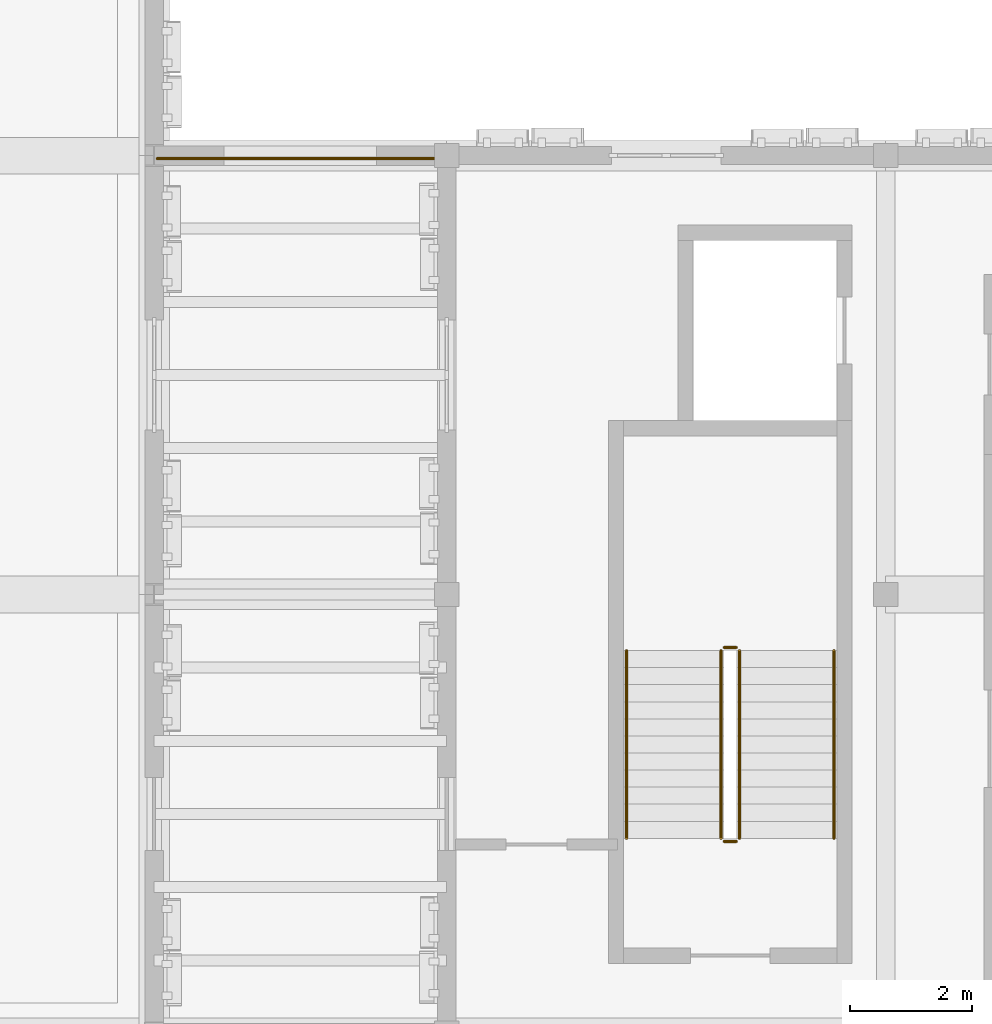
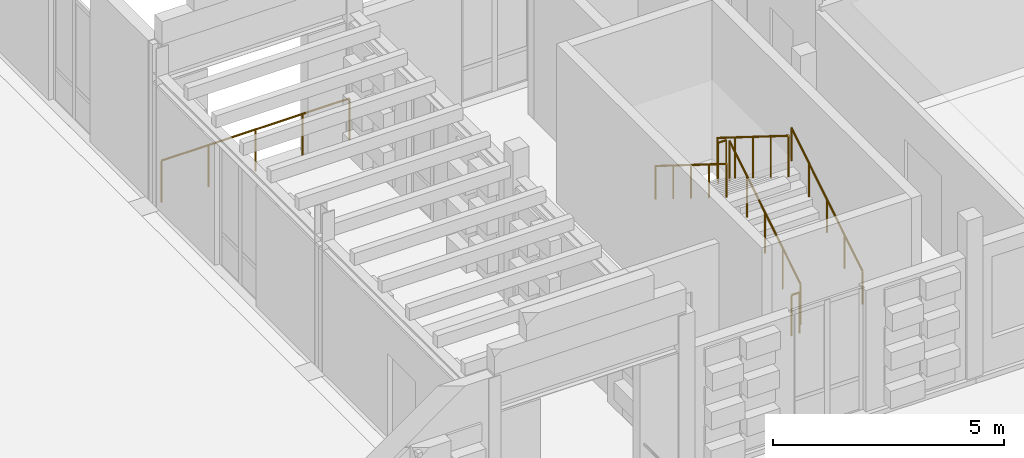
# One storey, part 90 of 99: 7 railings.
"""IFC4 building model written with IfcOpenShell, lengths in metres."""

from ifc_helpers import new_model, si_unit, direction, frame, origin, origin_2d, place, context, subcontext, project, spatial, circle, extrude, material, type_object, element, save


model = new_model("IFC4")

# Units and contexts
model_context = context("Model", 3, precision=1e-05, world=origin(), true_north=direction((0.0, 1.0)))
body_context = subcontext(model_context, "Body", "Model", "MODEL_VIEW")
ifc_project = project(units=[si_unit("LENGTHUNIT", "METRE"), si_unit("AREAUNIT", "SQUARE_METRE"), si_unit("VOLUMEUNIT", "CUBIC_METRE"), si_unit("PLANEANGLEUNIT", "RADIAN"), si_unit("MASSUNIT", "GRAM", prefix="KILO")], contexts=[model_context])

# Site, building, storey
site_placement = place(None, origin())
site = spatial("IfcSite", under=ifc_project, at=site_placement, CompositionType="ELEMENT")
building_placement = place(site_placement, origin())
building = spatial("IfcBuilding", under=site, at=building_placement, Name="Kahlenmark Community Centre", CompositionType="ELEMENT")
storey_placement = place(building_placement, frame((0.0, 0.0, 5.39990234375)))
storey = spatial("IfcBuildingStorey", under=building, at=storey_placement, Name="L01", CompositionType="ELEMENT", Elevation=5.39990234375)

# Railings
ifc_material_1 = material(Name="Powder-coated galvanized steel balustrade", Category="steel")
railing_type_1 = type_object("IfcRailingType", Name="RLT-BAL-1120", PredefinedType="BALUSTRADE", material=ifc_material_1)
railing_1_placement = place(storey_placement, frame((46.050048828125, 23.14990234375, 0.0)))
element("IfcRailing", 1, at=railing_1_placement, inside=storey, type_object=railing_type_1, Name="Balustrade guard L01-001", PredefinedType="BALUSTRADE", context=body_context, shape_type="SweptSolid", body=[
    extrude(circle(Radius=0.02392578125, at=origin_2d()), frame((0.0, 0.0, 1.09619140625), z_axis=(1.0, 0.0, 0.0), x_axis=(0.0, 1.0, 0.0)), (0.0, 0.0, 1.0), 4.699951171875),
    extrude(circle(Radius=0.02099609375, at=origin_2d()), origin(), (0.0, 0.0, 1.0), 1.072021484375),
    extrude(circle(Radius=0.02099609375, at=origin_2d()), frame((1.175048828125, 0.0, 0.0)), (0.0, 0.0, 1.0), 1.072021484375),
    extrude(circle(Radius=0.02099609375, at=origin_2d()), frame((2.35009765625, 0.0, 0.0)), (0.0, 0.0, 1.0), 1.072021484375),
    extrude(circle(Radius=0.02099609375, at=origin_2d()), frame((3.52490234375, 0.0, 0.0)), (0.0, 0.0, 1.0), 1.072021484375),
    extrude(circle(Radius=0.02099609375, at=origin_2d()), frame((4.699951171875, 0.0, 0.0)), (0.0, 0.0, 1.0), 1.072021484375),
])
ifc_material_2 = material(Name="Brushed stainless steel 1.4301 handrail", Category="steel")
railing_type_2 = type_object("IfcRailingType", Name="RLT-HR-900", PredefinedType="HANDRAIL", material=ifc_material_2)
railing_2_placement = place(storey_placement, frame((57.14990234375, 12.0, 0.175048828125)))
element("IfcRailing", 2, at=railing_2_placement, inside=storey, type_object=railing_type_2, Name="L01 ST-03 stair handrail 1", PredefinedType="HANDRAIL", context=body_context, shape_type="SweptSolid", body=[
    extrude(circle(Radius=0.02392578125, at=origin_2d()), frame((0.0, 0.0, 0.8759765625), z_axis=(0.0, 0.847998304005, 0.529998940003), x_axis=(-1.0, 0.0, 0.0)), (0.0, 0.0, 1.0), 3.632080078125),
    extrude(circle(Radius=0.02099609375, at=origin_2d()), origin(), (0.0, 0.0, 1.0), 0.851806640625),
    extrude(circle(Radius=0.02099609375, at=origin_2d()), frame((0.0, 0.77001953125, 0.481201171875)), (0.0, 0.0, 1.0), 0.851806640625),
    extrude(circle(Radius=0.02099609375, at=origin_2d()), frame((0.0, 1.5400390625, 0.96240234375)), (0.0, 0.0, 1.0), 0.851806640625),
    extrude(circle(Radius=0.02099609375, at=origin_2d()), frame((0.0, 2.31005859375, 1.44384765625)), (0.0, 0.0, 1.0), 0.851806640625),
    extrude(circle(Radius=0.02099609375, at=origin_2d()), frame((0.0, 3.080078125, 1.925048828125)), (0.0, 0.0, 1.0), 0.851806640625),
])
railing_3_placement = place(storey_placement, frame((53.75, 15.080078125, 2.275146484375)))
element("IfcRailing", 3, at=railing_3_placement, inside=storey, type_object=railing_type_2, Name="L01 ST-03 stair handrail 2", PredefinedType="HANDRAIL", context=body_context, shape_type="SweptSolid", body=[
    extrude(circle(Radius=0.02392578125, at=origin_2d()), frame((0.0, 0.0, 0.8759765625), z_axis=(0.0, -0.847998304005, 0.529998940003), x_axis=(1.0, 0.0, 0.0)), (0.0, 0.0, 1.0), 3.632080078125),
    extrude(circle(Radius=0.02099609375, at=origin_2d()), origin(), (0.0, 0.0, 1.0), 0.851806640625),
    extrude(circle(Radius=0.02099609375, at=origin_2d()), frame((0.0, -0.77001953125, 0.481201171875)), (0.0, 0.0, 1.0), 0.851806640625),
    extrude(circle(Radius=0.02099609375, at=origin_2d()), frame((0.0, -1.5400390625, 0.96240234375)), (0.0, 0.0, 1.0), 0.851806640625),
    extrude(circle(Radius=0.02099609375, at=origin_2d()), frame((0.0, -2.31005859375, 1.44384765625)), (0.0, 0.0, 1.0), 0.851806640625),
    extrude(circle(Radius=0.02099609375, at=origin_2d()), frame((0.0, -3.080078125, 1.925048828125)), (0.0, 0.0, 1.0), 0.851806640625),
])
ifc_material_3 = material(Name="Powder-coated steel stair well guard", Category="steel")
railing_type_3 = type_object("IfcRailingType", Name="RLT-SG-1120", PredefinedType="GUARDRAIL", material=ifc_material_3)
railing_4_placement = place(storey_placement, frame((55.60009765625, 12.0, 0.175048828125)))
element("IfcRailing", 4, at=railing_4_placement, inside=storey, type_object=railing_type_3, Name="L01 ST-03 stair guard 1", PredefinedType="GUARDRAIL", context=body_context, shape_type="SweptSolid", body=[
    extrude(circle(Radius=0.02392578125, at=origin_2d()), frame((0.0, 0.0, 1.076171875), z_axis=(0.0, 0.847998304005, 0.529998940003), x_axis=(-1.0, 0.0, 0.0)), (0.0, 0.0, 1.0), 3.632080078125),
    extrude(circle(Radius=0.02099609375, at=origin_2d()), origin(), (0.0, 0.0, 1.0), 1.052001953125),
    extrude(circle(Radius=0.02099609375, at=origin_2d()), frame((0.0, 0.77001953125, 0.481201171875)), (0.0, 0.0, 1.0), 1.052001953125),
    extrude(circle(Radius=0.02099609375, at=origin_2d()), frame((0.0, 1.5400390625, 0.96240234375)), (0.0, 0.0, 1.0), 1.052001953125),
    extrude(circle(Radius=0.02099609375, at=origin_2d()), frame((0.0, 2.31005859375, 1.44384765625)), (0.0, 0.0, 1.0), 1.052001953125),
    extrude(circle(Radius=0.02099609375, at=origin_2d()), frame((0.0, 3.080078125, 1.925048828125)), (0.0, 0.0, 1.0), 1.052001953125),
])
railing_5_placement = place(storey_placement, frame((55.550048828125, 15.1298828125, 2.10009765625)))
element("IfcRailing", 5, at=railing_5_placement, inside=storey, type_object=railing_type_3, Name="L01 ST-03 stair guard 2", PredefinedType="GUARDRAIL", context=body_context, shape_type="SweptSolid", body=[
    extrude(circle(Radius=0.02392578125, at=origin_2d()), frame((0.0, 0.0, 1.076171875), z_axis=(-1.0, 0.0, 0.0), x_axis=(0.0, -1.0, 0.0)), (0.0, 0.0, 1.0), 0.199951171875),
    extrude(circle(Radius=0.02099609375, at=origin_2d()), origin(), (0.0, 0.0, 1.0), 1.052001953125),
    extrude(circle(Radius=0.02099609375, at=origin_2d()), frame((-0.199951171875, 0.0, 0.0)), (0.0, 0.0, 1.0), 1.052001953125),
])
railing_6_placement = place(storey_placement, frame((55.300048828125, 15.080078125, 2.275146484375)))
element("IfcRailing", 6, at=railing_6_placement, inside=storey, type_object=railing_type_3, Name="L01 ST-03 stair guard 3", PredefinedType="GUARDRAIL", context=body_context, shape_type="SweptSolid", body=[
    extrude(circle(Radius=0.02392578125, at=origin_2d()), frame((0.0, 0.0, 1.076171875), z_axis=(0.0, -0.847998304005, 0.529998940003), x_axis=(1.0, 0.0, 0.0)), (0.0, 0.0, 1.0), 3.632080078125),
    extrude(circle(Radius=0.02099609375, at=origin_2d()), origin(), (0.0, 0.0, 1.0), 1.052001953125),
    extrude(circle(Radius=0.02099609375, at=origin_2d()), frame((0.0, -0.77001953125, 0.481201171875)), (0.0, 0.0, 1.0), 1.052001953125),
    extrude(circle(Radius=0.02099609375, at=origin_2d()), frame((0.0, -1.5400390625, 0.96240234375)), (0.0, 0.0, 1.0), 1.052001953125),
    extrude(circle(Radius=0.02099609375, at=origin_2d()), frame((0.0, -2.31005859375, 1.44384765625)), (0.0, 0.0, 1.0), 1.052001953125),
    extrude(circle(Radius=0.02099609375, at=origin_2d()), frame((0.0, -3.080078125, 1.925048828125)), (0.0, 0.0, 1.0), 1.052001953125),
])
railing_7_placement = place(storey_placement, frame((55.550048828125, 11.949951171875, 0.0)))
element("IfcRailing", 7, at=railing_7_placement, inside=storey, type_object=railing_type_3, Name="L01 ST-03 stair guard 4", PredefinedType="GUARDRAIL", context=body_context, shape_type="SweptSolid", body=[
    extrude(circle(Radius=0.02392578125, at=origin_2d()), frame((0.0, 0.0, 1.076171875), z_axis=(-1.0, 0.0, 0.0), x_axis=(0.0, -1.0, 0.0)), (0.0, 0.0, 1.0), 0.199951171875),
    extrude(circle(Radius=0.02099609375, at=origin_2d()), origin(), (0.0, 0.0, 1.0), 1.052001953125),
    extrude(circle(Radius=0.02099609375, at=origin_2d()), frame((-0.199951171875, 0.0, 0.0)), (0.0, 0.0, 1.0), 1.052001953125),
])

save(model, "model.ifc")
